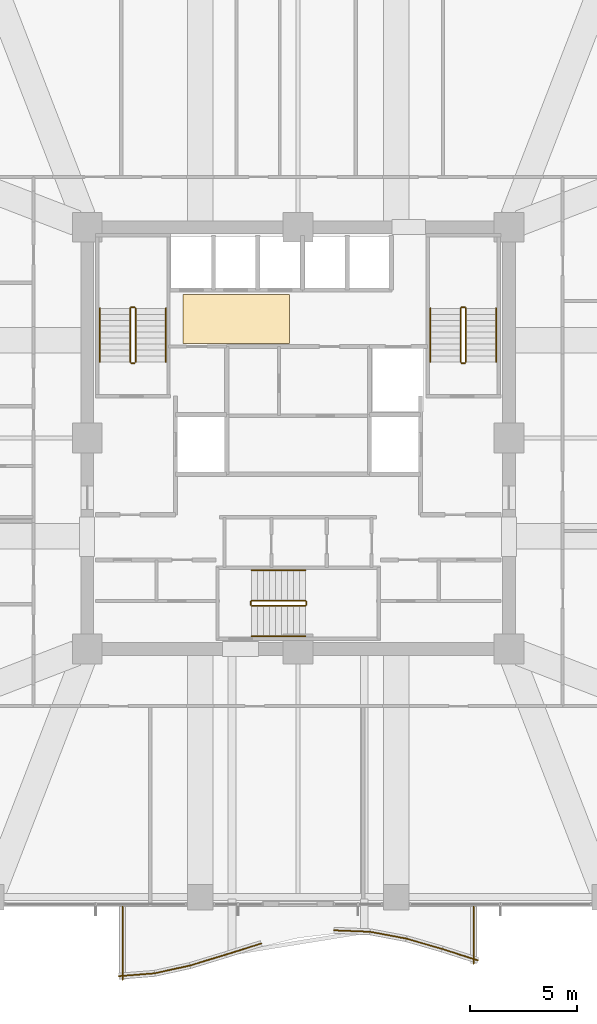
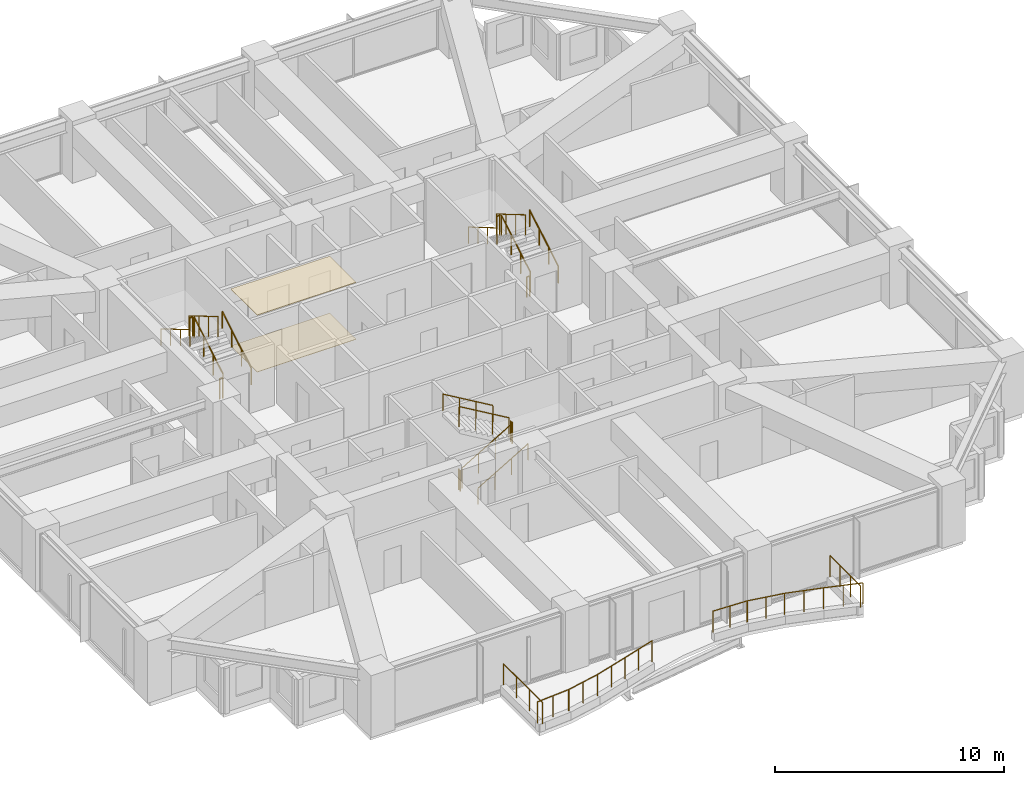
# One storey, part 37 of 37: 28 railings, 2 coverings.
"""IFC4 building model written with IfcOpenShell, lengths in metres."""

from ifc_helpers import new_model, si_unit, direction, frame, origin, origin_2d, place, context, subcontext, project, spatial, polyline, circle, outline, extrude, material, layer, layer_set, type_object, element, save


model = new_model("IFC4")

# Units and contexts
model_context = context("Model", 3, precision=1e-05, world=origin(), true_north=direction((0.0, 1.0)))
body_context = subcontext(model_context, "Body", "Model", "MODEL_VIEW")
ifc_project = project(units=[si_unit("LENGTHUNIT", "METRE"), si_unit("AREAUNIT", "SQUARE_METRE"), si_unit("VOLUMEUNIT", "CUBIC_METRE"), si_unit("PLANEANGLEUNIT", "RADIAN"), si_unit("MASSUNIT", "GRAM", prefix="KILO")], contexts=[model_context])

# Site, building, storey
site_placement = place(None, origin())
site = spatial("IfcSite", under=ifc_project, at=site_placement, CompositionType="ELEMENT")
building_placement = place(site_placement, origin())
building = spatial("IfcBuilding", under=site, at=building_placement, Name="Kolvaren Belvedere", CompositionType="ELEMENT")
storey_placement = place(building_placement, frame((0.0, 0.0, 37.0)))
storey = spatial("IfcBuildingStorey", under=building, at=storey_placement, Name="L10", CompositionType="ELEMENT", Elevation=37.0)

# Coverings
ifc_material_1 = material(Name="Acoustic perforated gypsum board", Category="gypsum")
ifc_layer_1 = layer(ifc_material_1, 0.02490234375)
ifc_layer_set_1 = layer_set([ifc_layer_1], Name="Acoustic perforated gypsum board")
covering_type_1 = type_object("IfcCoveringType", Name="COV-CEIL-GYP", PredefinedType="CEILING", material=ifc_layer_set_1)
covering_1_placement = place(storey_placement, frame((0.0, 0.0, 3.034912109375)))
element("IfcCovering", 1, at=covering_1_placement, inside=storey, type_object=covering_type_1, Name="L10 Lift Lobby Acoustic Baffle Ceiling", PredefinedType="CEILING", context=body_context, shape_type="SweptSolid", body=[
    extrude(outline(polyline([(-5.39990234375, 4.449951171875), (-0.39990234375, 4.449951171875), (-0.39990234375, 6.75), (-5.39990234375, 6.75), (-5.39990234375, 4.449951171875)])), origin(), (0.0, 0.0, 1.0), 0.025146484375),
])
ifc_material_2 = material(Name="Engineered Pacific white oak", Category="timber")
ifc_layer_2 = layer(ifc_material_2, 0.02001953125)
ifc_layer_set_2 = layer_set([ifc_layer_2], Name="Engineered Pacific white oak")
covering_type_2 = type_object("IfcCoveringType", Name="COV-FLR-OAK", PredefinedType="FLOORING", material=ifc_layer_set_2)
covering_2_placement = place(storey_placement, origin())
element("IfcCovering", 2, at=covering_2_placement, inside=storey, type_object=covering_type_2, Name="L10 Lift Lobby Finish Flooring", PredefinedType="FLOORING", context=body_context, shape_type="SweptSolid", body=[
    extrude(outline(polyline([(-5.39990234375, 4.449951171875), (-0.39990234375, 4.449951171875), (-0.39990234375, 6.75), (-5.39990234375, 6.75), (-5.39990234375, 4.449951171875)])), origin(), (0.0, 0.0, 1.0), 0.02001953125),
])

# Railings
ifc_material_3 = material(Name="Anodised pale-metal aluminium & laminated glass guard", Category="aluminium")
railing_type_1 = type_object("IfcRailingType", Name="RL-GUARD-1150", PredefinedType="GUARDRAIL", material=ifc_material_3)
railing_1_placement = place(storey_placement, frame((-8.41259765625, -25.260498046875, 0.360107421875)))
element("IfcRailing", 3, at=railing_1_placement, inside=storey, type_object=railing_type_1, Name="L10 Exterior Deck Safety Guard BAL-S-1", PredefinedType="GUARDRAIL", context=body_context, shape_type="SweptSolid", body=[
    extrude(circle(Radius=0.02392578125, at=origin_2d()), frame((0.0, 0.0, 1.1259765625), z_axis=(0.99685522818, 0.079244268248, 0.0), x_axis=(-0.079244268248, 0.99685522818, 0.0)), (0.0, 0.0, 1.0), 1.685302734375),
    extrude(circle(Radius=0.02099609375, at=origin_2d()), origin(), (0.0, 0.0, 1.0), 1.101806640625),
    extrude(circle(Radius=0.02099609375, at=origin_2d()), frame((0.83984375, 0.06689453125, 0.0)), (0.0, 0.0, 1.0), 1.101806640625),
    extrude(circle(Radius=0.02099609375, at=origin_2d()), frame((1.679931640625, 0.133544921875, 0.0)), (0.0, 0.0, 1.0), 1.101806640625),
])
railing_2_placement = place(storey_placement, frame((-6.754150390625, -25.130126953125, 0.360107421875)))
element("IfcRailing", 4, at=railing_2_placement, inside=storey, type_object=railing_type_1, Name="L10 Exterior Deck Safety Guard BAL-S-2", PredefinedType="GUARDRAIL", context=body_context, shape_type="SweptSolid", body=[
    extrude(circle(Radius=0.02392578125, at=origin_2d()), frame((0.0, 0.0, 1.1259765625), z_axis=(0.976876857632, 0.213802724545, 0.0), x_axis=(-0.213802724545, 0.976876857632, 0.0)), (0.0, 0.0, 1.0), 1.7197265625),
    extrude(circle(Radius=0.02099609375, at=origin_2d()), origin(), (0.0, 0.0, 1.0), 1.101806640625),
    extrude(circle(Radius=0.02099609375, at=origin_2d()), frame((0.83984375, 0.183837890625, 0.0)), (0.0, 0.0, 1.0), 1.101806640625),
    extrude(circle(Radius=0.02099609375, at=origin_2d()), frame((1.679931640625, 0.36767578125, 0.0)), (0.0, 0.0, 1.0), 1.101806640625),
])
railing_3_placement = place(storey_placement, frame((-5.086669921875, -24.765625, 0.360107421875)))
element("IfcRailing", 5, at=railing_3_placement, inside=storey, type_object=railing_type_1, Name="L10 Exterior Deck Safety Guard BAL-S-3", PredefinedType="GUARDRAIL", context=body_context, shape_type="SweptSolid", body=[
    extrude(circle(Radius=0.02392578125, at=origin_2d()), frame((0.0, 0.0, 1.1259765625), z_axis=(0.956732787823, 0.290967992577, 0.0), x_axis=(-0.290967992577, 0.956732787823, 0.0)), (0.0, 0.0, 1.0), 1.756103515625),
    extrude(circle(Radius=0.02099609375, at=origin_2d()), origin(), (0.0, 0.0, 1.0), 1.101806640625),
    extrude(circle(Radius=0.02099609375, at=origin_2d()), frame((0.840087890625, 0.25537109375, 0.0)), (0.0, 0.0, 1.0), 1.101806640625),
    extrude(circle(Radius=0.02099609375, at=origin_2d()), frame((1.68017578125, 0.510986328125, 0.0)), (0.0, 0.0, 1.0), 1.101806640625),
])
railing_4_placement = place(storey_placement, frame((-3.407958984375, -24.255126953125, 0.360107421875)))
element("IfcRailing", 6, at=railing_4_placement, inside=storey, type_object=railing_type_1, Name="L10 Exterior Deck Safety Guard BAL-S-4", PredefinedType="GUARDRAIL", context=body_context, shape_type="SweptSolid", body=[
    extrude(circle(Radius=0.02392578125, at=origin_2d()), frame((0.0, 0.0, 1.1259765625), z_axis=(0.954069594374, 0.299585061529, 0.0), x_axis=(-0.299585061529, 0.954069594374, 0.0)), (0.0, 0.0, 1.0), 1.760986328125),
    extrude(circle(Radius=0.02099609375, at=origin_2d()), origin(), (0.0, 0.0, 1.0), 1.101806640625),
    extrude(circle(Radius=0.02099609375, at=origin_2d()), frame((0.840087890625, 0.263671875, 0.0)), (0.0, 0.0, 1.0), 1.101806640625),
    extrude(circle(Radius=0.02099609375, at=origin_2d()), frame((1.68017578125, 0.527587890625, 0.0)), (0.0, 0.0, 1.0), 1.101806640625),
])
railing_5_placement = place(storey_placement, frame((1.686279296875, -23.108642578125, 0.360107421875)))
element("IfcRailing", 7, at=railing_5_placement, inside=storey, type_object=railing_type_1, Name="L10 Exterior Deck Safety Guard BAL-S-7", PredefinedType="GUARDRAIL", context=body_context, shape_type="SweptSolid", body=[
    extrude(circle(Radius=0.02392578125, at=origin_2d()), frame((0.0, 0.0, 1.1259765625), z_axis=(0.999202581436, -0.039927449854, 0.0), x_axis=(0.039927449854, 0.999202581436, 0.0)), (0.0, 0.0, 1.0), 1.681396484375),
    extrude(circle(Radius=0.02099609375, at=origin_2d()), origin(), (0.0, 0.0, 1.0), 1.101806640625),
    extrude(circle(Radius=0.02099609375, at=origin_2d()), frame((0.840087890625, -0.03369140625, 0.0)), (0.0, 0.0, 1.0), 1.101806640625),
    extrude(circle(Radius=0.02099609375, at=origin_2d()), frame((1.68017578125, -0.067138671875, 0.0)), (0.0, 0.0, 1.0), 1.101806640625),
])
railing_6_placement = place(storey_placement, frame((3.3896484375, -23.1787109375, 0.360107421875)))
element("IfcRailing", 8, at=railing_6_placement, inside=storey, type_object=railing_type_1, Name="L10 Exterior Deck Safety Guard BAL-S-8", PredefinedType="GUARDRAIL", context=body_context, shape_type="SweptSolid", body=[
    extrude(circle(Radius=0.02392578125, at=origin_2d()), frame((0.0, 0.0, 1.1259765625), z_axis=(0.982799348901, -0.18467658162, 0.0), x_axis=(0.18467658162, 0.982799348901, 0.0)), (0.0, 0.0, 1.0), 1.709228515625),
    extrude(circle(Radius=0.02099609375, at=origin_2d()), origin(), (0.0, 0.0, 1.0), 1.101806640625),
    extrude(circle(Radius=0.02099609375, at=origin_2d()), frame((0.83984375, -0.15771484375, 0.0)), (0.0, 0.0, 1.0), 1.101806640625),
    extrude(circle(Radius=0.02099609375, at=origin_2d()), frame((1.679931640625, -0.315673828125, 0.0)), (0.0, 0.0, 1.0), 1.101806640625),
])
railing_7_placement = place(storey_placement, frame((5.08447265625, -23.497802734375, 0.360107421875)))
element("IfcRailing", 9, at=railing_7_placement, inside=storey, type_object=railing_type_1, Name="L10 Exterior Deck Safety Guard BAL-S-9", PredefinedType="GUARDRAIL", context=body_context, shape_type="SweptSolid", body=[
    extrude(circle(Radius=0.02392578125, at=origin_2d()), frame((0.0, 0.0, 1.1259765625), z_axis=(0.96059663827, -0.277946215201, 0.0), x_axis=(0.277946215201, 0.96059663827, 0.0)), (0.0, 0.0, 1.0), 1.748779296875),
    extrude(circle(Radius=0.02099609375, at=origin_2d()), origin(), (0.0, 0.0, 1.0), 1.101806640625),
    extrude(circle(Radius=0.02099609375, at=origin_2d()), frame((0.83984375, -0.2431640625, 0.0)), (0.0, 0.0, 1.0), 1.101806640625),
    extrude(circle(Radius=0.02099609375, at=origin_2d()), frame((1.679931640625, -0.486083984375, 0.0)), (0.0, 0.0, 1.0), 1.101806640625),
])
railing_8_placement = place(storey_placement, frame((6.7685546875, -23.985107421875, 0.360107421875)))
element("IfcRailing", 10, at=railing_8_placement, inside=storey, type_object=railing_type_1, Name="L10 Exterior Deck Safety Guard BAL-S-10", PredefinedType="GUARDRAIL", context=body_context, shape_type="SweptSolid", body=[
    extrude(circle(Radius=0.02392578125, at=origin_2d()), frame((0.0, 0.0, 1.1259765625), z_axis=(0.952661770826, -0.304032153573, 0.0), x_axis=(0.304032153573, 0.952661770826, 0.0)), (0.0, 0.0, 1.0), 1.763427734375),
    extrude(circle(Radius=0.02099609375, at=origin_2d()), origin(), (0.0, 0.0, 1.0), 1.101806640625),
    extrude(circle(Radius=0.02099609375, at=origin_2d()), frame((0.83984375, -0.26806640625, 0.0)), (0.0, 0.0, 1.0), 1.101806640625),
    extrude(circle(Radius=0.02099609375, at=origin_2d()), frame((1.679931640625, -0.5361328125, 0.0)), (0.0, 0.0, 1.0), 1.101806640625),
])
railing_9_placement = place(storey_placement, frame((8.239990234375, -24.673583984375, 0.360107421875)))
element("IfcRailing", 11, at=railing_9_placement, inside=storey, type_object=railing_type_1, Name="L10 Exterior Deck Safety Guard BAL-S-11", PredefinedType="GUARDRAIL", context=body_context, shape_type="SweptSolid", body=[
    extrude(circle(Radius=0.02392578125, at=origin_2d()), frame((0.0, 0.0, 1.1259765625), z_axis=(0.0, 1.0, 0.0), x_axis=(-1.0, 0.0, 0.0)), (0.0, 0.0, 1.0), 2.673583984375),
    extrude(circle(Radius=0.02099609375, at=origin_2d()), origin(), (0.0, 0.0, 1.0), 1.101806640625),
    extrude(circle(Radius=0.02099609375, at=origin_2d()), frame((0.0, 0.89111328125, 0.0)), (0.0, 0.0, 1.0), 1.101806640625),
    extrude(circle(Radius=0.02099609375, at=origin_2d()), frame((0.0, 1.782470703125, 0.0)), (0.0, 0.0, 1.0), 1.101806640625),
    extrude(circle(Radius=0.02099609375, at=origin_2d()), frame((0.0, 2.673583984375, 0.0)), (0.0, 0.0, 1.0), 1.101806640625),
])
railing_10_placement = place(storey_placement, frame((-8.239990234375, -22.0, 0.360107421875)))
element("IfcRailing", 12, at=railing_10_placement, inside=storey, type_object=railing_type_1, Name="L10 Exterior Deck Safety Guard BAL-S-22", PredefinedType="GUARDRAIL", context=body_context, shape_type="SweptSolid", body=[
    extrude(circle(Radius=0.02392578125, at=origin_2d()), frame((0.0, 0.0, 1.1259765625), z_axis=(0.0, -1.0, 0.0), x_axis=(1.0, 0.0, 0.0)), (0.0, 0.0, 1.0), 3.419921875),
    extrude(circle(Radius=0.02099609375, at=origin_2d()), origin(), (0.0, 0.0, 1.0), 1.101806640625),
    extrude(circle(Radius=0.02099609375, at=origin_2d()), frame((0.0, -1.139892578125, 0.0)), (0.0, 0.0, 1.0), 1.101806640625),
    extrude(circle(Radius=0.02099609375, at=origin_2d()), frame((0.0, -2.280029296875, 0.0)), (0.0, 0.0, 1.0), 1.101806640625),
    extrude(circle(Radius=0.02099609375, at=origin_2d()), frame((0.0, -3.419921875, 0.0)), (0.0, 0.0, 1.0), 1.101806640625),
])
ifc_material_4 = material(Name="Brushed stainless-steel handrail", Category="steel")
railing_type_2 = type_object("IfcRailingType", Name="RL-HANDRAIL-920", PredefinedType="HANDRAIL", material=ifc_material_4)
railing_11_placement = place(storey_placement, frame((-6.2099609375, 3.570068359375, 0.1650390625)))
element("IfcRailing", 13, at=railing_11_placement, inside=storey, type_object=railing_type_2, Name="L10 ST-1 stair handrail 1", PredefinedType="HANDRAIL", context=body_context, shape_type="SweptSolid", body=[
    extrude(circle(Radius=0.02392578125, at=origin_2d()), frame((0.0, 0.0, 0.8759765625), z_axis=(0.0, 0.861560626758, 0.507654692109), x_axis=(-1.0, 0.0, 0.0)), (0.0, 0.0, 1.0), 2.925048828125),
    extrude(circle(Radius=0.02099609375, at=origin_2d()), origin(), (0.0, 0.0, 1.0), 0.851806640625),
    extrude(circle(Radius=0.02099609375, at=origin_2d()), frame((0.0, 0.840087890625, 0.494873046875)), (0.0, 0.0, 1.0), 0.851806640625),
    extrude(circle(Radius=0.02099609375, at=origin_2d()), frame((0.0, 1.679931640625, 0.989990234375)), (0.0, 0.0, 1.0), 0.851806640625),
    extrude(circle(Radius=0.02099609375, at=origin_2d()), frame((0.0, 2.52001953125, 1.48486328125)), (0.0, 0.0, 1.0), 0.851806640625),
])
railing_12_placement = place(storey_placement, frame((-9.300048828125, 6.090087890625, 1.81494140625)))
element("IfcRailing", 14, at=railing_12_placement, inside=storey, type_object=railing_type_2, Name="L10 ST-1 stair handrail 2", PredefinedType="HANDRAIL", context=body_context, shape_type="SweptSolid", body=[
    extrude(circle(Radius=0.02392578125, at=origin_2d()), frame((0.0, 0.0, 0.8759765625), z_axis=(0.0, -0.86152411907, 0.507716645641), x_axis=(1.0, 0.0, 0.0)), (0.0, 0.0, 1.0), 2.925048828125),
    extrude(circle(Radius=0.02099609375, at=origin_2d()), origin(), (0.0, 0.0, 1.0), 0.851806640625),
    extrude(circle(Radius=0.02099609375, at=origin_2d()), frame((0.0, -0.840087890625, 0.4951171875)), (0.0, 0.0, 1.0), 0.851806640625),
    extrude(circle(Radius=0.02099609375, at=origin_2d()), frame((0.0, -1.679931640625, 0.989990234375)), (0.0, 0.0, 1.0), 0.851806640625),
    extrude(circle(Radius=0.02099609375, at=origin_2d()), frame((0.0, -2.52001953125, 1.485107421875)), (0.0, 0.0, 1.0), 0.851806640625),
])
railing_13_placement = place(storey_placement, frame((9.300048828125, 3.570068359375, 0.1650390625)))
element("IfcRailing", 15, at=railing_13_placement, inside=storey, type_object=railing_type_2, Name="L10 ST-2 stair handrail 1", PredefinedType="HANDRAIL", context=body_context, shape_type="SweptSolid", body=[
    extrude(circle(Radius=0.02392578125, at=origin_2d()), frame((0.0, 0.0, 0.8759765625), z_axis=(0.0, 0.861560626758, 0.507654692109), x_axis=(-1.0, 0.0, 0.0)), (0.0, 0.0, 1.0), 2.925048828125),
    extrude(circle(Radius=0.02099609375, at=origin_2d()), origin(), (0.0, 0.0, 1.0), 0.851806640625),
    extrude(circle(Radius=0.02099609375, at=origin_2d()), frame((0.0, 0.840087890625, 0.494873046875)), (0.0, 0.0, 1.0), 0.851806640625),
    extrude(circle(Radius=0.02099609375, at=origin_2d()), frame((0.0, 1.679931640625, 0.989990234375)), (0.0, 0.0, 1.0), 0.851806640625),
    extrude(circle(Radius=0.02099609375, at=origin_2d()), frame((0.0, 2.52001953125, 1.48486328125)), (0.0, 0.0, 1.0), 0.851806640625),
])
railing_14_placement = place(storey_placement, frame((6.2099609375, 6.090087890625, 1.81494140625)))
element("IfcRailing", 16, at=railing_14_placement, inside=storey, type_object=railing_type_2, Name="L10 ST-2 stair handrail 2", PredefinedType="HANDRAIL", context=body_context, shape_type="SweptSolid", body=[
    extrude(circle(Radius=0.02392578125, at=origin_2d()), frame((0.0, 0.0, 0.8759765625), z_axis=(0.0, -0.86152411907, 0.507716645641), x_axis=(1.0, 0.0, 0.0)), (0.0, 0.0, 1.0), 2.925048828125),
    extrude(circle(Radius=0.02099609375, at=origin_2d()), origin(), (0.0, 0.0, 1.0), 0.851806640625),
    extrude(circle(Radius=0.02099609375, at=origin_2d()), frame((0.0, -0.840087890625, 0.4951171875)), (0.0, 0.0, 1.0), 0.851806640625),
    extrude(circle(Radius=0.02099609375, at=origin_2d()), frame((0.0, -1.679931640625, 0.989990234375)), (0.0, 0.0, 1.0), 0.851806640625),
    extrude(circle(Radius=0.02099609375, at=origin_2d()), frame((0.0, -2.52001953125, 1.485107421875)), (0.0, 0.0, 1.0), 0.851806640625),
])
railing_15_placement = place(storey_placement, frame((-2.179931640625, -9.300048828125, 0.1650390625)))
element("IfcRailing", 17, at=railing_15_placement, inside=storey, type_object=railing_type_2, Name="L10 ST-3 stair handrail 1", PredefinedType="HANDRAIL", context=body_context, shape_type="SweptSolid", body=[
    extrude(circle(Radius=0.02392578125, at=origin_2d()), frame((0.0, 0.0, 0.8759765625), z_axis=(0.861560626758, 0.0, 0.507654692109), x_axis=(0.0, 1.0, 0.0)), (0.0, 0.0, 1.0), 2.925048828125),
    extrude(circle(Radius=0.02099609375, at=origin_2d()), origin(), (0.0, 0.0, 1.0), 0.851806640625),
    extrude(circle(Radius=0.02099609375, at=origin_2d()), frame((0.840087890625, 0.0, 0.494873046875)), (0.0, 0.0, 1.0), 0.851806640625),
    extrude(circle(Radius=0.02099609375, at=origin_2d()), frame((1.679931640625, 0.0, 0.989990234375)), (0.0, 0.0, 1.0), 0.851806640625),
    extrude(circle(Radius=0.02099609375, at=origin_2d()), frame((2.52001953125, 0.0, 1.48486328125)), (0.0, 0.0, 1.0), 0.851806640625),
])
railing_16_placement = place(storey_placement, frame((0.340087890625, -6.2099609375, 1.81494140625)))
element("IfcRailing", 18, at=railing_16_placement, inside=storey, type_object=railing_type_2, Name="L10 ST-3 stair handrail 2", PredefinedType="HANDRAIL", context=body_context, shape_type="SweptSolid", body=[
    extrude(circle(Radius=0.02392578125, at=origin_2d()), frame((0.0, 0.0, 0.8759765625), z_axis=(-0.86152411907, 0.0, 0.507716645641), x_axis=(0.0, -1.0, 0.0)), (0.0, 0.0, 1.0), 2.925048828125),
    extrude(circle(Radius=0.02099609375, at=origin_2d()), origin(), (0.0, 0.0, 1.0), 0.851806640625),
    extrude(circle(Radius=0.02099609375, at=origin_2d()), frame((-0.840087890625, 0.0, 0.4951171875)), (0.0, 0.0, 1.0), 0.851806640625),
    extrude(circle(Radius=0.02099609375, at=origin_2d()), frame((-1.679931640625, 0.0, 0.989990234375)), (0.0, 0.0, 1.0), 0.851806640625),
    extrude(circle(Radius=0.02099609375, at=origin_2d()), frame((-2.52001953125, 0.0, 1.485107421875)), (0.0, 0.0, 1.0), 0.851806640625),
])
ifc_material_5 = material(Name="Painted tubular steel stair guard", Category="steel")
railing_type_3 = type_object("IfcRailingType", Name="RL-STGUARD-1100", PredefinedType="GUARDRAIL", material=ifc_material_5)
railing_17_placement = place(storey_placement, frame((-7.6298828125, 3.570068359375, 0.1650390625)))
element("IfcRailing", 19, at=railing_17_placement, inside=storey, type_object=railing_type_3, Name="L10 ST-1 stair guard 1", PredefinedType="GUARDRAIL", context=body_context, shape_type="SweptSolid", body=[
    extrude(circle(Radius=0.02392578125, at=origin_2d()), frame((0.0, 0.0, 1.076171875), z_axis=(0.0, 0.861560626758, 0.507654692109), x_axis=(-1.0, 0.0, 0.0)), (0.0, 0.0, 1.0), 2.925048828125),
    extrude(circle(Radius=0.02099609375, at=origin_2d()), origin(), (0.0, 0.0, 1.0), 1.052001953125),
    extrude(circle(Radius=0.02099609375, at=origin_2d()), frame((0.0, 0.840087890625, 0.494873046875)), (0.0, 0.0, 1.0), 1.052001953125),
    extrude(circle(Radius=0.02099609375, at=origin_2d()), frame((0.0, 1.679931640625, 0.989990234375)), (0.0, 0.0, 1.0), 1.052001953125),
    extrude(circle(Radius=0.02099609375, at=origin_2d()), frame((0.0, 2.52001953125, 1.48486328125)), (0.0, 0.0, 1.0), 1.052001953125),
])
railing_18_placement = place(storey_placement, frame((-7.679931640625, 6.139892578125, 1.64990234375)))
element("IfcRailing", 20, at=railing_18_placement, inside=storey, type_object=railing_type_3, Name="L10 ST-1 stair guard 2", PredefinedType="GUARDRAIL", context=body_context, shape_type="SweptSolid", body=[
    extrude(circle(Radius=0.02392578125, at=origin_2d()), frame((0.0, 0.0, 1.076171875), z_axis=(-1.0, 0.0, 0.0), x_axis=(0.0, -1.0, 0.0)), (0.0, 0.0, 1.0), 0.150146484375),
    extrude(circle(Radius=0.02099609375, at=origin_2d()), origin(), (0.0, 0.0, 1.0), 1.052001953125),
    extrude(circle(Radius=0.02099609375, at=origin_2d()), frame((-0.150146484375, 0.0, 0.0)), (0.0, 0.0, 1.0), 1.052001953125),
])
railing_19_placement = place(storey_placement, frame((-7.8798828125, 6.090087890625, 1.81494140625)))
element("IfcRailing", 21, at=railing_19_placement, inside=storey, type_object=railing_type_3, Name="L10 ST-1 stair guard 3", PredefinedType="GUARDRAIL", context=body_context, shape_type="SweptSolid", body=[
    extrude(circle(Radius=0.02392578125, at=origin_2d()), frame((0.0, 0.0, 1.076171875), z_axis=(0.0, -0.86152411907, 0.507716645641), x_axis=(1.0, 0.0, 0.0)), (0.0, 0.0, 1.0), 2.925048828125),
    extrude(circle(Radius=0.02099609375, at=origin_2d()), origin(), (0.0, 0.0, 1.0), 1.052001953125),
    extrude(circle(Radius=0.02099609375, at=origin_2d()), frame((0.0, -0.840087890625, 0.4951171875)), (0.0, 0.0, 1.0), 1.052001953125),
    extrude(circle(Radius=0.02099609375, at=origin_2d()), frame((0.0, -1.679931640625, 0.989990234375)), (0.0, 0.0, 1.0), 1.052001953125),
    extrude(circle(Radius=0.02099609375, at=origin_2d()), frame((0.0, -2.52001953125, 1.485107421875)), (0.0, 0.0, 1.0), 1.052001953125),
])
railing_20_placement = place(storey_placement, frame((-7.679931640625, 3.52001953125, 0.0)))
element("IfcRailing", 22, at=railing_20_placement, inside=storey, type_object=railing_type_3, Name="L10 ST-1 stair guard 4", PredefinedType="GUARDRAIL", context=body_context, shape_type="SweptSolid", body=[
    extrude(circle(Radius=0.02392578125, at=origin_2d()), frame((0.0, 0.0, 1.076171875), z_axis=(-1.0, 0.0, 0.0), x_axis=(0.0, -1.0, 0.0)), (0.0, 0.0, 1.0), 0.150146484375),
    extrude(circle(Radius=0.02099609375, at=origin_2d()), origin(), (0.0, 0.0, 1.0), 1.052001953125),
    extrude(circle(Radius=0.02099609375, at=origin_2d()), frame((-0.150146484375, 0.0, 0.0)), (0.0, 0.0, 1.0), 1.052001953125),
])
railing_21_placement = place(storey_placement, frame((7.8798828125, 3.570068359375, 0.1650390625)))
element("IfcRailing", 23, at=railing_21_placement, inside=storey, type_object=railing_type_3, Name="L10 ST-2 stair guard 1", PredefinedType="GUARDRAIL", context=body_context, shape_type="SweptSolid", body=[
    extrude(circle(Radius=0.02392578125, at=origin_2d()), frame((0.0, 0.0, 1.076171875), z_axis=(0.0, 0.861560626758, 0.507654692109), x_axis=(-1.0, 0.0, 0.0)), (0.0, 0.0, 1.0), 2.925048828125),
    extrude(circle(Radius=0.02099609375, at=origin_2d()), origin(), (0.0, 0.0, 1.0), 1.052001953125),
    extrude(circle(Radius=0.02099609375, at=origin_2d()), frame((0.0, 0.840087890625, 0.494873046875)), (0.0, 0.0, 1.0), 1.052001953125),
    extrude(circle(Radius=0.02099609375, at=origin_2d()), frame((0.0, 1.679931640625, 0.989990234375)), (0.0, 0.0, 1.0), 1.052001953125),
    extrude(circle(Radius=0.02099609375, at=origin_2d()), frame((0.0, 2.52001953125, 1.48486328125)), (0.0, 0.0, 1.0), 1.052001953125),
])
railing_22_placement = place(storey_placement, frame((7.830078125, 6.139892578125, 1.64990234375)))
element("IfcRailing", 24, at=railing_22_placement, inside=storey, type_object=railing_type_3, Name="L10 ST-2 stair guard 2", PredefinedType="GUARDRAIL", context=body_context, shape_type="SweptSolid", body=[
    extrude(circle(Radius=0.02392578125, at=origin_2d()), frame((0.0, 0.0, 1.076171875), z_axis=(-1.0, 0.0, 0.0), x_axis=(0.0, -1.0, 0.0)), (0.0, 0.0, 1.0), 0.150146484375),
    extrude(circle(Radius=0.02099609375, at=origin_2d()), origin(), (0.0, 0.0, 1.0), 1.052001953125),
    extrude(circle(Radius=0.02099609375, at=origin_2d()), frame((-0.150146484375, 0.0, 0.0)), (0.0, 0.0, 1.0), 1.052001953125),
])
railing_23_placement = place(storey_placement, frame((7.6298828125, 6.090087890625, 1.81494140625)))
element("IfcRailing", 25, at=railing_23_placement, inside=storey, type_object=railing_type_3, Name="L10 ST-2 stair guard 3", PredefinedType="GUARDRAIL", context=body_context, shape_type="SweptSolid", body=[
    extrude(circle(Radius=0.02392578125, at=origin_2d()), frame((0.0, 0.0, 1.076171875), z_axis=(0.0, -0.86152411907, 0.507716645641), x_axis=(1.0, 0.0, 0.0)), (0.0, 0.0, 1.0), 2.925048828125),
    extrude(circle(Radius=0.02099609375, at=origin_2d()), origin(), (0.0, 0.0, 1.0), 1.052001953125),
    extrude(circle(Radius=0.02099609375, at=origin_2d()), frame((0.0, -0.840087890625, 0.4951171875)), (0.0, 0.0, 1.0), 1.052001953125),
    extrude(circle(Radius=0.02099609375, at=origin_2d()), frame((0.0, -1.679931640625, 0.989990234375)), (0.0, 0.0, 1.0), 1.052001953125),
    extrude(circle(Radius=0.02099609375, at=origin_2d()), frame((0.0, -2.52001953125, 1.485107421875)), (0.0, 0.0, 1.0), 1.052001953125),
])
railing_24_placement = place(storey_placement, frame((7.830078125, 3.52001953125, 0.0)))
element("IfcRailing", 26, at=railing_24_placement, inside=storey, type_object=railing_type_3, Name="L10 ST-2 stair guard 4", PredefinedType="GUARDRAIL", context=body_context, shape_type="SweptSolid", body=[
    extrude(circle(Radius=0.02392578125, at=origin_2d()), frame((0.0, 0.0, 1.076171875), z_axis=(-1.0, 0.0, 0.0), x_axis=(0.0, -1.0, 0.0)), (0.0, 0.0, 1.0), 0.150146484375),
    extrude(circle(Radius=0.02099609375, at=origin_2d()), origin(), (0.0, 0.0, 1.0), 1.052001953125),
    extrude(circle(Radius=0.02099609375, at=origin_2d()), frame((-0.150146484375, 0.0, 0.0)), (0.0, 0.0, 1.0), 1.052001953125),
])
railing_25_placement = place(storey_placement, frame((-2.179931640625, -7.8798828125, 0.1650390625)))
element("IfcRailing", 27, at=railing_25_placement, inside=storey, type_object=railing_type_3, Name="L10 ST-3 stair guard 1", PredefinedType="GUARDRAIL", context=body_context, shape_type="SweptSolid", body=[
    extrude(circle(Radius=0.02392578125, at=origin_2d()), frame((0.0, 0.0, 1.076171875), z_axis=(0.861560626758, 0.0, 0.507654692109), x_axis=(0.0, 1.0, 0.0)), (0.0, 0.0, 1.0), 2.925048828125),
    extrude(circle(Radius=0.02099609375, at=origin_2d()), origin(), (0.0, 0.0, 1.0), 1.052001953125),
    extrude(circle(Radius=0.02099609375, at=origin_2d()), frame((0.840087890625, 0.0, 0.494873046875)), (0.0, 0.0, 1.0), 1.052001953125),
    extrude(circle(Radius=0.02099609375, at=origin_2d()), frame((1.679931640625, 0.0, 0.989990234375)), (0.0, 0.0, 1.0), 1.052001953125),
    extrude(circle(Radius=0.02099609375, at=origin_2d()), frame((2.52001953125, 0.0, 1.48486328125)), (0.0, 0.0, 1.0), 1.052001953125),
])
railing_26_placement = place(storey_placement, frame((0.389892578125, -7.830078125, 1.64990234375)))
element("IfcRailing", 28, at=railing_26_placement, inside=storey, type_object=railing_type_3, Name="L10 ST-3 stair guard 2", PredefinedType="GUARDRAIL", context=body_context, shape_type="SweptSolid", body=[
    extrude(circle(Radius=0.02392578125, at=origin_2d()), frame((0.0, 0.0, 1.076171875), z_axis=(0.0, 1.0, 0.0), x_axis=(-1.0, 0.0, 0.0)), (0.0, 0.0, 1.0), 0.150146484375),
    extrude(circle(Radius=0.02099609375, at=origin_2d()), origin(), (0.0, 0.0, 1.0), 1.052001953125),
    extrude(circle(Radius=0.02099609375, at=origin_2d()), frame((0.0, 0.150146484375, 0.0)), (0.0, 0.0, 1.0), 1.052001953125),
])
railing_27_placement = place(storey_placement, frame((0.340087890625, -7.6298828125, 1.81494140625)))
element("IfcRailing", 29, at=railing_27_placement, inside=storey, type_object=railing_type_3, Name="L10 ST-3 stair guard 3", PredefinedType="GUARDRAIL", context=body_context, shape_type="SweptSolid", body=[
    extrude(circle(Radius=0.02392578125, at=origin_2d()), frame((0.0, 0.0, 1.076171875), z_axis=(-0.86152411907, 0.0, 0.507716645641), x_axis=(0.0, -1.0, 0.0)), (0.0, 0.0, 1.0), 2.925048828125),
    extrude(circle(Radius=0.02099609375, at=origin_2d()), origin(), (0.0, 0.0, 1.0), 1.052001953125),
    extrude(circle(Radius=0.02099609375, at=origin_2d()), frame((-0.840087890625, 0.0, 0.4951171875)), (0.0, 0.0, 1.0), 1.052001953125),
    extrude(circle(Radius=0.02099609375, at=origin_2d()), frame((-1.679931640625, 0.0, 0.989990234375)), (0.0, 0.0, 1.0), 1.052001953125),
    extrude(circle(Radius=0.02099609375, at=origin_2d()), frame((-2.52001953125, 0.0, 1.485107421875)), (0.0, 0.0, 1.0), 1.052001953125),
])
railing_28_placement = place(storey_placement, frame((-2.22998046875, -7.830078125, 0.0)))
element("IfcRailing", 30, at=railing_28_placement, inside=storey, type_object=railing_type_3, Name="L10 ST-3 stair guard 4", PredefinedType="GUARDRAIL", context=body_context, shape_type="SweptSolid", body=[
    extrude(circle(Radius=0.02392578125, at=origin_2d()), frame((0.0, 0.0, 1.076171875), z_axis=(0.0, 1.0, 0.0), x_axis=(-1.0, 0.0, 0.0)), (0.0, 0.0, 1.0), 0.150146484375),
    extrude(circle(Radius=0.02099609375, at=origin_2d()), origin(), (0.0, 0.0, 1.0), 1.052001953125),
    extrude(circle(Radius=0.02099609375, at=origin_2d()), frame((0.0, 0.150146484375, 0.0)), (0.0, 0.0, 1.0), 1.052001953125),
])

save(model, "model.ifc")
